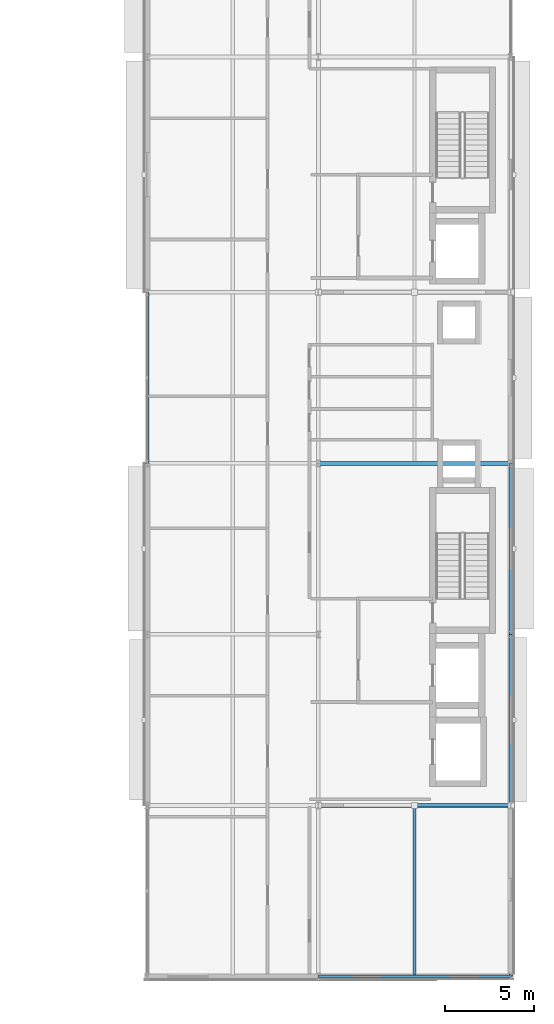
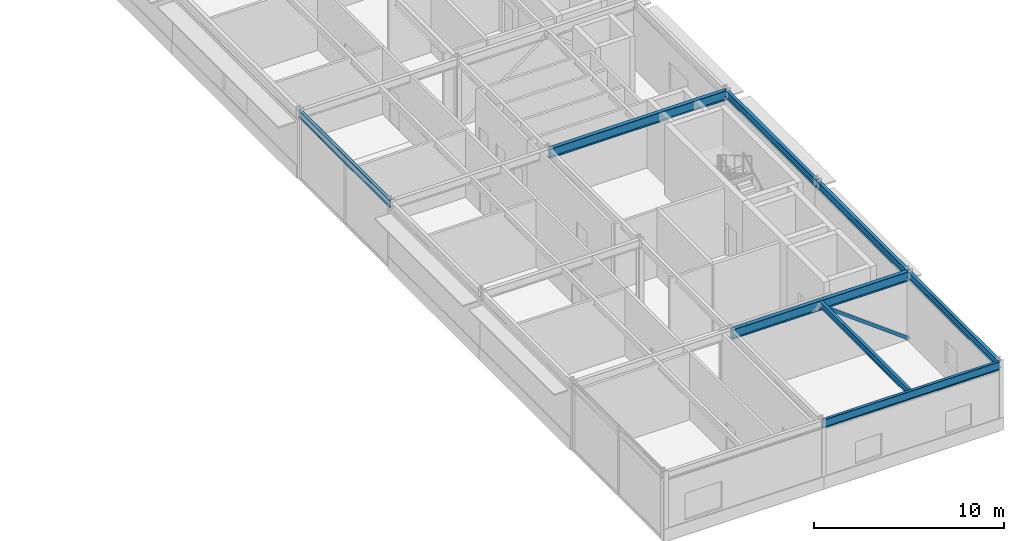
# One storey, part 6 of 22: 8 beams, 1 member.
"""IFC4 building model written with IfcOpenShell, lengths in metres."""

from ifc_helpers import new_model, si_unit, direction, frame, origin, origin_2d, place, context, subcontext, project, spatial, hollow_rectangle, i_section, extrude, material, material_profile, profile_set, type_object, element, save


model = new_model("IFC4")

# Units and contexts
model_context = context("Model", 3, precision=1e-05, world=origin(), true_north=direction((0.0, 1.0)))
body_context = subcontext(model_context, "Body", "Model", "MODEL_VIEW")
ifc_project = project(units=[si_unit("LENGTHUNIT", "METRE"), si_unit("AREAUNIT", "SQUARE_METRE"), si_unit("VOLUMEUNIT", "CUBIC_METRE"), si_unit("PLANEANGLEUNIT", "RADIAN"), si_unit("MASSUNIT", "GRAM", prefix="KILO")], contexts=[model_context])

# Site, building, storey
site_placement = place(None, origin())
site = spatial("IfcSite", under=ifc_project, at=site_placement, CompositionType="ELEMENT")
building_placement = place(site_placement, origin())
building = spatial("IfcBuilding", under=site, at=building_placement, Name="Almandine Court Research Institute", CompositionType="ELEMENT")
storey_placement = place(building_placement, frame((0.0, 0.0, 28.0)))
storey = spatial("IfcBuildingStorey", under=building, at=storey_placement, Name="L06", CompositionType="ELEMENT", Elevation=28.0)

# Beams
ifc_material_1 = material(Name="Steel ASTM A992 Grade 50", Category="steel")
ifc_material_profile_1 = material_profile(ifc_material_1, i_section(OverallWidth=0.18994140625, OverallDepth=0.45703125, WebThickness=0.009033203125, FlangeThickness=0.014892578125, at=origin_2d()), Name="W460x74")
ifc_profile_set_1 = profile_set([ifc_material_profile_1], Name="Steel ASTM A992 Grade 50")
beam_type_1 = type_object("IfcBeamType", Name="Beam-B-01", PredefinedType="BEAM", material=ifc_profile_set_1)
beam_1_placement = place(storey_placement, frame((153.60009765625, 34.800048828125, 4.156982421875), z_axis=(0.0, 1.0, 0.0), x_axis=(-1.0, 0.0, 0.0)))
element("IfcBeam", 1, at=beam_1_placement, inside=storey, type_object=beam_type_1, Name="L06 V4 Primary Y Girder", PredefinedType="BEAM", context=body_context, shape_type="SweptSolid", body=[
    extrude(i_section(OverallWidth=0.18994140625, OverallDepth=0.45703125, WebThickness=0.009033203125, FlangeThickness=0.014892578125, at=origin_2d()), origin(), (0.0, 0.0, 1.0), 9.599853515625),
])
ifc_material_profile_2 = material_profile(ifc_material_1, i_section(OverallWidth=0.178955078125, OverallDepth=0.409912109375, WebThickness=0.009033203125, FlangeThickness=0.013916015625, at=origin_2d()), Name="W410x67")
ifc_profile_set_2 = profile_set([ifc_material_profile_2], Name="Steel ASTM A992 Grade 50")
beam_type_2 = type_object("IfcBeamType", Name="Beam-B-02", PredefinedType="JOIST", material=ifc_profile_set_2)
beam_2_placement = place(storey_placement, frame((168.60009765625, 6.0810546875, 4.179931640625), z_axis=(0.0, 1.0, 0.0), x_axis=(-1.0, 0.0, 0.0)))
element("IfcBeam", 2, at=beam_2_placement, inside=storey, type_object=beam_type_2, Name="L06 V4 Composite Secondary Beam", PredefinedType="JOIST", context=body_context, shape_type="SweptSolid", body=[
    extrude(i_section(OverallWidth=0.178955078125, OverallDepth=0.409912109375, WebThickness=0.009033203125, FlangeThickness=0.013916015625, at=origin_2d()), origin(), (0.0, 0.0, 1.0), 9.406005859375),
])
ifc_material_profile_3 = material_profile(ifc_material_1, i_section(OverallWidth=0.22998046875, OverallDepth=0.616943359375, WebThickness=0.012939453125, FlangeThickness=0.02197265625, at=origin_2d()), Name="W610x140")
ifc_profile_set_3 = profile_set([ifc_material_profile_3], Name="Steel ASTM A992 Grade 50")
beam_type_3 = type_object("IfcBeamType", Name="Beam-G-02", PredefinedType="BEAM", material=ifc_profile_set_3)
for number, where, z_axis, x_axis, name in (
    (3, (163.199951171875, 15.60009765625, 4.075927734375), (1.0, 0.0, 0.0), (0.0, 1.0, 0.0), "L06 V4 Primary X Girder"),
    (4, (163.199951171875, 34.800048828125, 4.075927734375), (1.0, 0.0, 0.0), (0.0, 1.0, 0.0), "L06 V4 Primary X Girder"),
):
    element("IfcBeam", number, at=place(storey_placement, frame(where, z_axis=z_axis, x_axis=x_axis)), inside=storey, type_object=beam_type_3, Name=name, PredefinedType="BEAM", context=body_context, shape_type="SweptSolid", body=[
        extrude(i_section(OverallWidth=0.22998046875, OverallDepth=0.616943359375, WebThickness=0.012939453125, FlangeThickness=0.02197265625, at=origin_2d()), origin(), (0.0, 0.0, 1.0), 10.800048828125),
    ])
ifc_material_profile_4 = material_profile(ifc_material_1, i_section(OverallWidth=0.166015625, OverallDepth=0.534912109375, WebThickness=0.010009765625, FlangeThickness=0.01708984375, at=origin_2d()), Name="W530x85")
ifc_profile_set_4 = profile_set([ifc_material_profile_4], Name="Steel ASTM A992 Grade 50")
beam_type_4 = type_object("IfcBeamType", Name="Beam-G-05-E", PredefinedType="SPANDREL", material=ifc_profile_set_4)
beam_3_placement = place(storey_placement, frame((163.199951171875, 6.0, 4.116943359375), z_axis=(1.0, 0.0, 0.0), x_axis=(0.0, 1.0, 0.0)))
element("IfcBeam", 5, at=beam_3_placement, inside=storey, type_object=beam_type_4, Name="L06 V4 Primary X Girder", PredefinedType="SPANDREL", context=body_context, shape_type="SweptSolid", body=[
    extrude(i_section(OverallWidth=0.166015625, OverallDepth=0.534912109375, WebThickness=0.010009765625, FlangeThickness=0.01708984375, at=origin_2d()), origin(), (0.0, 0.0, 1.0), 10.800048828125),
])
ifc_material_profile_5 = material_profile(ifc_material_1, i_section(OverallWidth=0.193115234375, OverallDepth=0.466064453125, WebThickness=0.010986328125, FlangeThickness=0.01904296875, at=origin_2d()), Name="W460x97")
ifc_profile_set_5 = profile_set([ifc_material_profile_5], Name="Steel ASTM A992 Grade 50")
beam_type_5 = type_object("IfcBeamType", Name="Beam-G-06-E", PredefinedType="SPANDREL", material=ifc_profile_set_5)
beam_4_placement = place(storey_placement, frame((174.0, 6.0, 4.152099609375), z_axis=(0.0, 1.0, 0.0), x_axis=(-1.0, 0.0, 0.0)))
element("IfcBeam", 6, at=beam_4_placement, inside=storey, type_object=beam_type_5, Name="L06 V4 Primary Y Girder", PredefinedType="SPANDREL", context=body_context, shape_type="SweptSolid", body=[
    extrude(i_section(OverallWidth=0.193115234375, OverallDepth=0.466064453125, WebThickness=0.010986328125, FlangeThickness=0.01904296875, at=origin_2d()), origin(), (0.0, 0.0, 1.0), 9.60009765625),
])
beam_5_placement = place(storey_placement, frame((174.0, 15.60009765625, 4.152099609375), z_axis=(0.0, 1.0, 0.0), x_axis=(-1.0, 0.0, 0.0)))
element("IfcBeam", 7, at=beam_5_placement, inside=storey, type_object=beam_type_5, Name="L06 V4 Primary Y Girder", PredefinedType="SPANDREL", context=body_context, shape_type="SweptSolid", body=[
    extrude(i_section(OverallWidth=0.193115234375, OverallDepth=0.466064453125, WebThickness=0.010986328125, FlangeThickness=0.01904296875, at=origin_2d()), origin(), (0.0, 0.0, 1.0), 9.599853515625),
])
beam_6_placement = place(storey_placement, frame((174.0, 25.199951171875, 4.152099609375), z_axis=(0.0, 1.0, 0.0), x_axis=(-1.0, 0.0, 0.0)))
element("IfcBeam", 8, at=beam_6_placement, inside=storey, type_object=beam_type_5, Name="L06 V4 Primary Y Girder", PredefinedType="SPANDREL", context=body_context, shape_type="SweptSolid", body=[
    extrude(i_section(OverallWidth=0.193115234375, OverallDepth=0.466064453125, WebThickness=0.010986328125, FlangeThickness=0.01904296875, at=origin_2d()), origin(), (0.0, 0.0, 1.0), 9.60009765625),
])

# Member
ifc_material_2 = material(Name="Steel ASTM A500 Grade C", Category="steel")
ifc_material_profile_6 = material_profile(ifc_material_2, hollow_rectangle(XDim=0.199951171875, YDim=0.199951171875, WallThickness=0.008056640625, at=origin_2d()), Name="HSS 200x200x8")
ifc_profile_set_6 = profile_set([ifc_material_profile_6], Name="Steel ASTM A500 Grade C")
member_type = type_object("IfcMemberType", Name="Mem-BF-BR2", PredefinedType="BRACE", material=ifc_profile_set_6)
member_placement = place(storey_placement, frame((174.0, 15.60009765625, 0.02001953125), z_axis=(-0.801415226812, 0.0, 0.598108380007), x_axis=(0.0, -1.0, 0.0)))
element("IfcMember", 9, at=member_placement, inside=storey, type_object=member_type, Name="L06 Seismic Chevron Brace V4-BF1 Right", PredefinedType="BRACE", context=body_context, shape_type="SweptSolid", body=[
    extrude(hollow_rectangle(XDim=0.199951171875, YDim=0.199951171875, WallThickness=0.008056640625, at=origin_2d()), origin(), (0.0, 0.0, 1.0), 6.738037109375),
])

save(model, "model.ifc")
